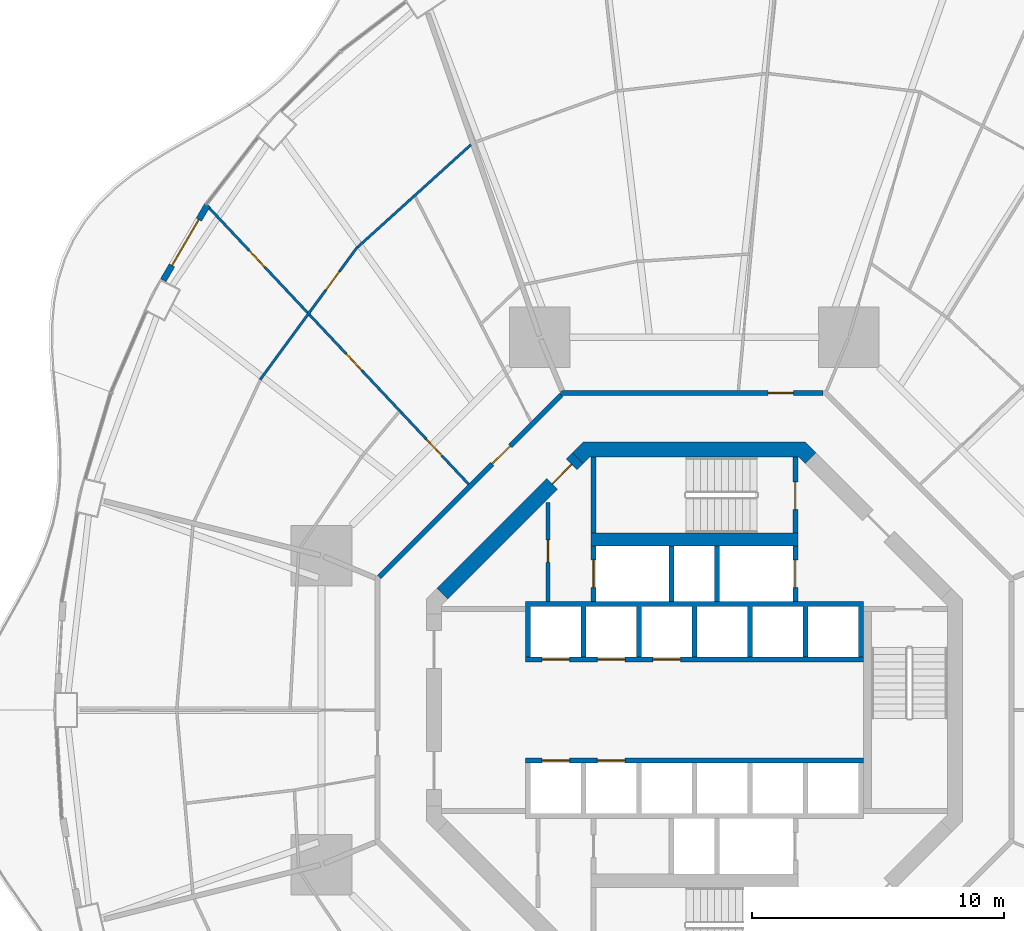
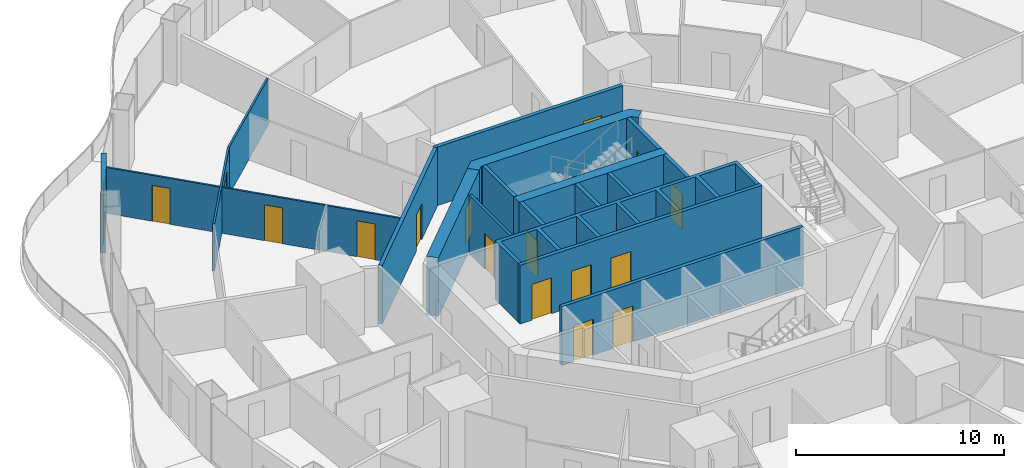
# One storey, part 17 of 22: 19 walls, 17 doors, 17 openings.
"""IFC4 building model written with IfcOpenShell, lengths in metres."""

from ifc_helpers import new_model, si_unit, direction, frame, frame_2d, origin, place, context, subcontext, project, spatial, polyline, rectangle, outline, extrude, material, layer, layer_set, type_object, element, fill, save


model = new_model("IFC4")

# Units and contexts
model_context = context("Model", 3, precision=1e-05, world=origin(), true_north=direction((0.0, 1.0)))
body_context = subcontext(model_context, "Body", "Model", "MODEL_VIEW")
ifc_project = project(units=[si_unit("LENGTHUNIT", "METRE"), si_unit("AREAUNIT", "SQUARE_METRE"), si_unit("VOLUMEUNIT", "CUBIC_METRE"), si_unit("PLANEANGLEUNIT", "RADIAN"), si_unit("MASSUNIT", "GRAM", prefix="KILO")], contexts=[model_context])

# Site, building, storey
site_placement = place(None, origin())
site = spatial("IfcSite", under=ifc_project, at=site_placement, CompositionType="ELEMENT")
building_placement = place(site_placement, origin())
building = spatial("IfcBuilding", under=site, at=building_placement, Name="Nagisa Residences", CompositionType="ELEMENT")
storey_placement = place(building_placement, frame((0.0, 0.0, 52.89990234375)))
storey = spatial("IfcBuildingStorey", under=building, at=storey_placement, Name="L12", CompositionType="ELEMENT", Elevation=52.89990234375)

# Wall, opening, door
ifc_material_1 = material(Name="Gypsum board on steel studs", Category="steel")
ifc_layer_1 = layer(ifc_material_1, 0.199951171875)
ifc_layer_set_1 = layer_set([ifc_layer_1], Name="Apartment entry wall EI60 200")
wall_type_1 = type_object("IfcWallType", Name="Apartment entry wall EI60 200", PredefinedType="PARTITIONING", material=ifc_layer_set_1)
wall_1_placement = place(storey_placement, frame((5.1044921875, 12.564697265625, 0.0), z_axis=(0.0, 0.0, 1.0), x_axis=(-1.0, 0.0, 0.0)))
wall_1 = element("IfcWall", 1, at=wall_1_placement, inside=storey, type_object=wall_type_1, Name="wall:L12:u12", PredefinedType="PARTITIONING", context=body_context, shape_type="SweptSolid", body=[
    extrude(rectangle(XDim=10.408935546875, YDim=0.199951171875, at=frame_2d((5.20458984375, 0.0))), origin(), (0.0, 0.0, 1.0), 3.440185546875),
])
opening_1_placement = place(wall_1_placement, frame((1.184814453125, 0.0, 0.0)))
opening_1 = element("IfcOpeningElement", 2, at=opening_1_placement, cuts=wall_1, Name="Opening L12-U43", PredefinedType="OPENING", context=body_context, shape_type="SweptSolid", body=[
    extrude(rectangle(XDim=1.0, YDim=2.10009765625, at=frame_2d((0.5, 1.050048828125))), frame((0.0, 0.10986328125, 0.0), z_axis=(0.0, -1.0, 0.0), x_axis=(1.0, 0.0, 0.0)), (0.0, 0.0, 1.0), 0.219970703125),
])
ifc_material_2 = material(Name="Timber fire door set", Category="wood")
door_type_1 = type_object("IfcDoorType", Name="Apartment entry door FD30S 1000x2100", OperationType="NOTDEFINED", PredefinedType="DOOR", material=ifc_material_2)
door_1_placement = place(opening_1_placement, frame((1.0, 0.0, 0.0), x_axis=(-1.0, 0.0, 0.0)))
door_1 = element("IfcDoor", 3, at=door_1_placement, inside=storey, type_object=door_type_1, Name="Entry door, Apartment 12E", OperationType="SINGLE_SWING_RIGHT", OverallHeight=2.10009765625, OverallWidth=1.0, PredefinedType="DOOR", context=body_context, shape_type="SweptSolid", body=[
    extrude(rectangle(XDim=1.0, YDim=2.10009765625, at=frame_2d((0.5, 1.050048828125))), frame((0.0, 0.02490234375, 0.0), z_axis=(0.0, -1.0, 0.0), x_axis=(1.0, 0.0, 0.0)), (0.0, 0.0, 1.0), 0.050048828125),
])
fill(opening_1, door_1)

wall_2_placement = place(storey_placement, frame((-5.275146484375, 12.494140625, 0.0), z_axis=(0.0, 0.0, 1.0), x_axis=(-0.707106781187, -0.707106781187, 0.0)))
wall_2 = element("IfcWall", 4, at=wall_2_placement, inside=storey, type_object=wall_type_1, Name="wall:L12:u13", PredefinedType="PARTITIONING", context=body_context, shape_type="SweptSolid", body=[
    extrude(rectangle(XDim=10.209228515625, YDim=0.199951171875, at=frame_2d((5.1044921875, 0.0))), origin(), (0.0, 0.0, 1.0), 3.440185546875),
])
opening_2_placement = place(wall_2_placement, frame((2.86962890625, 0.0, 0.0)))
opening_2 = element("IfcOpeningElement", 5, at=opening_2_placement, cuts=wall_2, Name="Opening L12-U01", PredefinedType="OPENING", context=body_context, shape_type="SweptSolid", body=[
    extrude(rectangle(XDim=1.0, YDim=2.10009765625, at=frame_2d((0.5, 1.050048828125))), frame((0.0, 0.10986328125, 0.0), z_axis=(0.0, -1.0, 0.0), x_axis=(1.0, 0.0, 0.0)), (0.0, 0.0, 1.0), 0.219970703125),
])
door_2_placement = place(opening_2_placement, frame((1.0, 0.0, 0.0), x_axis=(-1.0, 0.0, 0.0)))
door_2 = element("IfcDoor", 6, at=door_2_placement, inside=storey, type_object=door_type_1, Name="Entry door, Apartment 12A", OperationType="SINGLE_SWING_RIGHT", OverallHeight=2.10009765625, OverallWidth=1.0, PredefinedType="DOOR", context=body_context, shape_type="SweptSolid", body=[
    extrude(rectangle(XDim=1.0, YDim=2.10009765625, at=frame_2d((0.5, 1.050048828125))), frame((0.0, 0.02490234375, 0.0), z_axis=(0.0, -1.0, 0.0), x_axis=(1.0, 0.0, 0.0)), (0.0, 0.0, 1.0), 0.050048828125),
])
fill(opening_2, door_2)

# Wall
ifc_material_3 = material(Name="Gypsum board on steel studs", Category="steel")
ifc_layer_2 = layer(ifc_material_3, 0.10009765625)
ifc_layer_set_2 = layer_set([ifc_layer_2], Name="Apartment partition 100")
wall_type_2 = type_object("IfcWallType", Name="Apartment partition 100", PredefinedType="PARTITIONING", material=ifc_layer_set_2)
wall_3_placement = place(storey_placement, frame((-8.860595703125, 22.4072265625, 0.0), z_axis=(0.0, 0.0, 1.0), x_axis=(-0.741713303551, -0.670717060567, 0.0)))
element("IfcWall", 7, at=wall_3_placement, inside=storey, type_object=wall_type_2, Name="wall:L12:u46", PredefinedType="PARTITIONING", context=body_context, shape_type="SweptSolid", body=[
    extrude(rectangle(XDim=6.05908203125, YDim=0.10009765625, at=frame_2d((3.029541015625, 0.0))), origin(), (0.0, 0.0, 1.0), 2.756103515625),
])

# Wall, opening, door
wall_4_placement = place(storey_placement, frame((-13.3623046875, 18.35009765625, 0.0), z_axis=(0.0, 0.0, 1.0), x_axis=(-0.591191311491, -0.806531359104, 0.0)))
wall_4 = element("IfcWall", 8, at=wall_4_placement, inside=storey, type_object=wall_type_2, Name="wall:L12:u48", PredefinedType="PARTITIONING", context=body_context, shape_type="SweptSolid", body=[
    extrude(rectangle(XDim=6.510009765625, YDim=0.10009765625, at=frame_2d((3.2548828125, 0.0))), origin(), (0.0, 0.0, 1.0), 2.756103515625),
])
opening_3_placement = place(wall_4_placement, frame((1.202392578125, 0.0, 0.0)))
opening_3 = element("IfcOpeningElement", 9, at=opening_3_placement, cuts=wall_4, Name="Opening L12-U06", PredefinedType="OPENING", context=body_context, shape_type="SweptSolid", body=[
    extrude(rectangle(XDim=0.89990234375, YDim=2.10009765625, at=frame_2d((0.449951171875, 1.050048828125))), frame((0.0, 0.06005859375, 0.0), z_axis=(0.0, -1.0, 0.0), x_axis=(1.0, 0.0, 0.0)), (0.0, 0.0, 1.0), 0.1201171875),
])
ifc_material_4 = material(Name="Timber door set", Category="wood")
door_type_2 = type_object("IfcDoorType", Name="Apartment door 900x2100", OperationType="NOTDEFINED", PredefinedType="DOOR", material=ifc_material_4)
door_3_placement = place(opening_3_placement, frame((0.89990234375, 0.0, 0.0), x_axis=(-1.0, 0.0, 0.0)))
door_3 = element("IfcDoor", 10, at=door_3_placement, inside=storey, type_object=door_type_2, Name="Door to family room, Apartment 12A", OperationType="SINGLE_SWING_LEFT", OverallHeight=2.10009765625, OverallWidth=0.89990234375, PredefinedType="DOOR", context=body_context, shape_type="SweptSolid", body=[
    extrude(rectangle(XDim=0.89990234375, YDim=2.10009765625, at=frame_2d((0.449951171875, 1.050048828125))), frame((0.0, 0.02490234375, 0.0), z_axis=(0.0, -1.0, 0.0), x_axis=(1.0, 0.0, 0.0)), (0.0, 0.0, 1.0), 0.050048828125),
])
fill(opening_3, door_3)

# Wall, openings, doors
wall_5_placement = place(storey_placement, frame((-8.953125, 8.95751953125, 0.0), z_axis=(0.0, 0.0, 1.0), x_axis=(-0.684574307023, 0.728943082939, 0.0)))
wall_5 = element("IfcWall", 11, at=wall_5_placement, inside=storey, type_object=wall_type_2, Name="wall:L12:u49", PredefinedType="PARTITIONING", context=body_context, shape_type="SweptSolid", body=[
    extrude(rectangle(XDim=15.23095703125, YDim=0.10009765625, at=frame_2d((7.615478515625, 0.0))), origin(), (0.0, 0.0, 1.0), 2.68701171875),
])
opening_4_placement = place(wall_5_placement, frame((1.5400390625, 0.0, 0.0)))
opening_4 = element("IfcOpeningElement", 12, at=opening_4_placement, cuts=wall_5, Name="Opening L12-U03", PredefinedType="OPENING", context=body_context, shape_type="SweptSolid", body=[
    extrude(rectangle(XDim=0.89990234375, YDim=2.10009765625, at=frame_2d((0.449951171875, 1.050048828125))), frame((0.0, 0.06005859375, 0.0), z_axis=(0.0, -1.0, 0.0), x_axis=(1.0, 0.0, 0.0)), (0.0, 0.0, 1.0), 0.1201171875),
])
opening_5_placement = place(wall_5_placement, frame((6.17431640625, 0.0, 0.0)))
opening_5 = element("IfcOpeningElement", 13, at=opening_5_placement, cuts=wall_5, Name="Opening L12-U05", PredefinedType="OPENING", context=body_context, shape_type="SweptSolid", body=[
    extrude(rectangle(XDim=0.89990234375, YDim=2.10009765625, at=frame_2d((0.449951171875, 1.050048828125))), frame((0.0, 0.06005859375, 0.0), z_axis=(0.0, -1.0, 0.0), x_axis=(1.0, 0.0, 0.0)), (0.0, 0.0, 1.0), 0.1201171875),
])
opening_6_placement = place(wall_5_placement, frame((11.7998046875, 0.0, 0.0)))
opening_6 = element("IfcOpeningElement", 14, at=opening_6_placement, cuts=wall_5, Name="Opening L12-U07", PredefinedType="OPENING", context=body_context, shape_type="SweptSolid", body=[
    extrude(rectangle(XDim=0.89990234375, YDim=2.10009765625, at=frame_2d((0.449951171875, 1.050048828125))), frame((0.0, 0.06005859375, 0.0), z_axis=(0.0, -1.0, 0.0), x_axis=(1.0, 0.0, 0.0)), (0.0, 0.0, 1.0), 0.1201171875),
])
door_4_placement = place(opening_4_placement, origin())
door_4 = element("IfcDoor", 15, at=door_4_placement, inside=storey, type_object=door_type_2, Name="Door to store, Apartment 12A", OperationType="SINGLE_SWING_LEFT", OverallHeight=2.10009765625, OverallWidth=0.89990234375, PredefinedType="DOOR", context=body_context, shape_type="SweptSolid", body=[
    extrude(rectangle(XDim=0.89990234375, YDim=2.10009765625, at=frame_2d((0.449951171875, 1.050048828125))), frame((0.0, 0.02490234375, 0.0), z_axis=(0.0, -1.0, 0.0), x_axis=(1.0, 0.0, 0.0)), (0.0, 0.0, 1.0), 0.050048828125),
])
fill(opening_4, door_4)
door_5_placement = place(opening_5_placement, origin())
door_5 = element("IfcDoor", 16, at=door_5_placement, inside=storey, type_object=door_type_2, Name="Door to kitchen, Apartment 12A", OperationType="SINGLE_SWING_LEFT", OverallHeight=2.10009765625, OverallWidth=0.89990234375, PredefinedType="DOOR", context=body_context, shape_type="SweptSolid", body=[
    extrude(rectangle(XDim=0.89990234375, YDim=2.10009765625, at=frame_2d((0.449951171875, 1.050048828125))), frame((0.0, 0.02490234375, 0.0), z_axis=(0.0, -1.0, 0.0), x_axis=(1.0, 0.0, 0.0)), (0.0, 0.0, 1.0), 0.050048828125),
])
fill(opening_5, door_5)
door_6_placement = place(opening_6_placement, origin())
door_6 = element("IfcDoor", 17, at=door_6_placement, inside=storey, type_object=door_type_2, Name="Door to master bedroom, Apartment 12A", OperationType="SINGLE_SWING_LEFT", OverallHeight=2.10009765625, OverallWidth=0.89990234375, PredefinedType="DOOR", context=body_context, shape_type="SweptSolid", body=[
    extrude(rectangle(XDim=0.89990234375, YDim=2.10009765625, at=frame_2d((0.449951171875, 1.050048828125))), frame((0.0, 0.02490234375, 0.0), z_axis=(0.0, -1.0, 0.0), x_axis=(1.0, 0.0, 0.0)), (0.0, 0.0, 1.0), 0.050048828125),
])
fill(opening_6, door_6)

# Wall, opening, door
ifc_material_5 = material(Name="Precast concrete C40/50", Category="concrete")
ifc_layer_3 = layer(ifc_material_5, 0.25)
ifc_layer_set_3 = layer_set([ifc_layer_3], Name="BALCONY DOOR WALL 250")
wall_type_3 = type_object("IfcWallType", Name="BALCONY DOOR WALL 250", PredefinedType="SOLIDWALL", material=ifc_layer_set_3)
wall_6_placement = place(storey_placement, frame((-21.052490234375, 17.040283203125, 0.0), z_axis=(0.0, 0.0, 1.0), x_axis=(0.506311160839, 0.862350861546, 0.0)))
wall_6 = element("IfcWall", 18, at=wall_6_placement, inside=storey, type_object=wall_type_3, Name="wall:L12:bay19", PredefinedType="SOLIDWALL", context=body_context, shape_type="SweptSolid", body=[
    extrude(rectangle(XDim=3.462158203125, YDim=0.25, at=frame_2d((1.73095703125, 0.0))), origin(), (0.0, 0.0, 1.0), 3.440185546875),
])
opening_7_placement = place(wall_6_placement, frame((0.68115234375, 0.0, 0.0)))
opening_7 = element("IfcOpeningElement", 19, at=opening_7_placement, cuts=wall_6, Name="Opening BD-L12-07", PredefinedType="OPENING", context=body_context, shape_type="SweptSolid", body=[
    extrude(rectangle(XDim=2.10009765625, YDim=2.39990234375, at=frame_2d((1.050048828125, 1.199951171875))), frame((0.0, 0.135009765625, 0.0), z_axis=(0.0, -1.0, 0.0), x_axis=(1.0, 0.0, 0.0)), (0.0, 0.0, 1.0), 0.27001953125),
])
ifc_material_6 = material(Name="Aluminium and clear glass", Category="aluminium")
door_type_3 = type_object("IfcDoorType", Name="BALCONY SLIDING DOOR 2100x2400", OperationType="SLIDING_TO_LEFT", PredefinedType="DOOR", material=ifc_material_6)
door_7_placement = place(opening_7_placement, origin())
door_7 = element("IfcDoor", 20, at=door_7_placement, inside=storey, type_object=door_type_3, Name="door:L12:bay19", OperationType="SLIDING_TO_LEFT", OverallHeight=2.39990234375, OverallWidth=2.10009765625, PredefinedType="DOOR", context=body_context, shape_type="SweptSolid", body=[
    extrude(rectangle(XDim=2.10009765625, YDim=2.39990234375, at=frame_2d((1.050048828125, 1.199951171875))), frame((0.0, 0.02490234375, 0.0), z_axis=(0.0, -1.0, 0.0), x_axis=(1.0, 0.0, 0.0)), (0.0, 0.0, 1.0), 0.050048828125),
])
fill(opening_7, door_7)

ifc_material_7 = material(Name="Gypsum board on steel studs", Category="steel")
ifc_layer_4 = layer(ifc_material_7, 0.14990234375)
ifc_layer_set_4 = layer_set([ifc_layer_4], Name="Core partition 150")
wall_type_4 = type_object("IfcWallType", Name="Core partition 150", PredefinedType="PARTITIONING", material=ifc_layer_set_4)
wall_7_placement = place(storey_placement, frame((-5.800048828125, 4.300048828125, 0.0), z_axis=(0.0, 0.0, 1.0), x_axis=(0.0, 1.0, 0.0)))
wall_7 = element("IfcWall", 21, at=wall_7_placement, inside=storey, type_object=wall_type_4, Name="wall:L12:NWp", PredefinedType="PARTITIONING", context=body_context, shape_type="SweptSolid", body=[
    extrude(rectangle(XDim=3.927001953125, YDim=0.14990234375, at=frame_2d((1.96337890625, 0.0))), origin(), (0.0, 0.0, 1.0), 3.440185546875),
])
opening_8_placement = place(wall_7_placement, frame((1.551025390625, 0.0, 0.0)))
opening_8 = element("IfcOpeningElement", 22, at=opening_8_placement, cuts=wall_7, Name="Opening L12-C12", PredefinedType="OPENING", context=body_context, shape_type="SweptSolid", body=[
    extrude(rectangle(XDim=0.89990234375, YDim=2.10009765625, at=frame_2d((0.449951171875, 1.050048828125))), frame((0.0, 0.0849609375, 0.0), z_axis=(0.0, -1.0, 0.0), x_axis=(1.0, 0.0, 0.0)), (0.0, 0.0, 1.0), 0.169921875),
])
ifc_material_8 = material(Name="Steel fire door", Category="steel")
door_type_4 = type_object("IfcDoorType", Name="Fire door EI30 900x2100 single swing", OperationType="NOTDEFINED", PredefinedType="DOOR", material=ifc_material_8)
door_8_placement = place(opening_8_placement, origin())
door_8 = element("IfcDoor", 23, at=door_8_placement, inside=storey, type_object=door_type_4, Name="Package room door L12", OperationType="SINGLE_SWING_LEFT", OverallHeight=2.10009765625, OverallWidth=0.89990234375, PredefinedType="DOOR", context=body_context, shape_type="SweptSolid", body=[
    extrude(rectangle(XDim=0.89990234375, YDim=2.10009765625, at=frame_2d((0.449951171875, 1.050048828125))), frame((0.0, 0.02490234375, 0.0), z_axis=(0.0, -1.0, 0.0), x_axis=(1.0, 0.0, 0.0)), (0.0, 0.0, 1.0), 0.050048828125),
])
fill(opening_8, door_8)

ifc_material_9 = material(Name="Concrete C60", Category="concrete")
ifc_layer_5 = layer(ifc_material_9, 0.60009765625)
ifc_layer_set_5 = layer_set([ifc_layer_5], Name="Core shear wall 600")
wall_type_5 = type_object("IfcWallType", Name="Core shear wall 600", PredefinedType="SHEAR", material=ifc_layer_set_5)
wall_8_placement = place(storey_placement, frame((-4.613037109375, 9.98828125, 0.0), z_axis=(0.0, 0.0, 1.0), x_axis=(-0.707106781187, -0.707106781187, 0.0)))
wall_8 = element("IfcWall", 24, at=wall_8_placement, inside=storey, type_object=wall_type_5, Name="wall:L12:core:flat3", PredefinedType="SHEAR", context=body_context, shape_type="SweptSolid", body=[
    extrude(rectangle(XDim=7.601806640625, YDim=0.60009765625, at=frame_2d((3.80078125, 0.0))), origin(), (0.0, 0.0, 1.0), 3.440185546875),
])
opening_9_placement = place(wall_8_placement, frame((0.350830078125, 0.0, 0.0)))
opening_9 = element("IfcOpeningElement", 25, at=opening_9_placement, cuts=wall_8, Name="Opening L12-C19", PredefinedType="OPENING", context=body_context, shape_type="SweptSolid", body=[
    extrude(rectangle(XDim=1.10009765625, YDim=2.10009765625, at=frame_2d((0.550048828125, 1.050048828125))), frame((0.0, 0.31005859375, 0.0), z_axis=(0.0, -1.0, 0.0), x_axis=(1.0, 0.0, 0.0)), (0.0, 0.0, 1.0), 0.6201171875),
])
ifc_material_10 = material(Name="Steel fire door", Category="steel")
door_type_5 = type_object("IfcDoorType", Name="Fire door EI60 1100x2100 single swing", OperationType="NOTDEFINED", PredefinedType="DOOR", material=ifc_material_10)
door_9_placement = place(opening_9_placement, origin())
door_9 = element("IfcDoor", 26, at=door_9_placement, inside=storey, type_object=door_type_5, Name="Service lobby door L12", OperationType="SINGLE_SWING_LEFT", OverallHeight=2.10009765625, OverallWidth=1.10009765625, PredefinedType="DOOR", context=body_context, shape_type="SweptSolid", body=[
    extrude(rectangle(XDim=1.10009765625, YDim=2.10009765625, at=frame_2d((0.550048828125, 1.050048828125))), frame((0.0, 0.02490234375, 0.0), z_axis=(0.0, -1.0, 0.0), x_axis=(1.0, 0.0, 0.0)), (0.0, 0.0, 1.0), 0.050048828125),
])
fill(opening_9, door_9)

# Wall
wall_9_placement = place(storey_placement, origin())
element("IfcWall", 27, at=wall_9_placement, inside=storey, type_object=wall_type_5, Name="wall:L12:core:flat2", PredefinedType="SHEAR", context=body_context, shape_type="SweptSolid", body=[
    extrude(outline(polyline([(-4.15234375, 10.024658203125), (-4.40087890625, 9.776123046875), (-4.8251953125, 10.200439453125), (-4.40087890625, 10.62451171875), (4.40087890625, 10.62451171875), (4.8251953125, 10.200439453125), (4.40087890625, 9.776123046875), (4.15234375, 10.024658203125), (-4.15234375, 10.024658203125)])), origin(), (0.0, 0.0, 1.0), 3.440185546875),
])

# Wall, opening, door
ifc_material_11 = material(Name="Concrete C60", Category="concrete")
ifc_layer_6 = layer(ifc_material_11, 0.199951171875)
ifc_layer_set_6 = layer_set([ifc_layer_6], Name="Lift shaft wall 200")
wall_type_6 = type_object("IfcWallType", Name="Lift shaft wall 200", PredefinedType="SOLIDWALL", material=ifc_layer_set_6)
wall_10_placement = place(storey_placement, frame((4.0, 4.300048828125, 0.0), z_axis=(0.0, 0.0, 1.0), x_axis=(0.0, 1.0, 0.0)))
wall_10 = element("IfcWall", 28, at=wall_10_placement, inside=storey, type_object=wall_type_6, Name="wall:L12:Nb3", PredefinedType="SOLIDWALL", context=body_context, shape_type="SweptSolid", body=[
    extrude(rectangle(XDim=2.199951171875, YDim=0.199951171875, at=frame_2d((1.10009765625, 0.0))), origin(), (0.0, 0.0, 1.0), 3.440185546875),
])
opening_10_placement = place(wall_10_placement, frame((0.550048828125, 0.0, 0.0)))
opening_10 = element("IfcOpeningElement", 29, at=opening_10_placement, cuts=wall_10, Name="Opening L12-C06", PredefinedType="OPENING", context=body_context, shape_type="SweptSolid", body=[
    extrude(rectangle(XDim=1.10009765625, YDim=2.10009765625, at=frame_2d((0.550048828125, 1.050048828125))), frame((0.0, 0.10986328125, 0.0), z_axis=(0.0, -1.0, 0.0), x_axis=(1.0, 0.0, 0.0)), (0.0, 0.0, 1.0), 0.219970703125),
])
ifc_material_12 = material(Name="Stainless steel", Category="steel")
door_type_6 = type_object("IfcDoorType", Name="Lift landing door 1100x2100", OperationType="DOUBLE_DOOR_SLIDING", PredefinedType="DOOR", material=ifc_material_12)
door_10_placement = place(opening_10_placement, origin())
door_10 = element("IfcDoor", 30, at=door_10_placement, inside=storey, type_object=door_type_6, Name="Landing door FL1 L12", OperationType="DOUBLE_DOOR_SLIDING", OverallHeight=2.10009765625, OverallWidth=1.10009765625, PredefinedType="DOOR", context=body_context, shape_type="SweptSolid", body=[
    extrude(rectangle(XDim=1.10009765625, YDim=2.10009765625, at=frame_2d((0.550048828125, 1.050048828125))), frame((0.0, 0.02490234375, 0.0), z_axis=(0.0, -1.0, 0.0), x_axis=(1.0, 0.0, 0.0)), (0.0, 0.0, 1.0), 0.050048828125),
])
fill(opening_10, door_10)

wall_11_placement = place(storey_placement, frame((-4.0, 4.300048828125, 0.0), z_axis=(0.0, 0.0, 1.0), x_axis=(0.0, 1.0, 0.0)))
wall_11 = element("IfcWall", 31, at=wall_11_placement, inside=storey, type_object=wall_type_6, Name="wall:L12:Nb4", PredefinedType="SOLIDWALL", context=body_context, shape_type="SweptSolid", body=[
    extrude(rectangle(XDim=2.199951171875, YDim=0.199951171875, at=frame_2d((1.10009765625, 0.0))), origin(), (0.0, 0.0, 1.0), 3.440185546875),
])
opening_11_placement = place(wall_11_placement, frame((0.550048828125, 0.0, 0.0)))
opening_11 = element("IfcOpeningElement", 32, at=opening_11_placement, cuts=wall_11, Name="Opening L12-C08", PredefinedType="OPENING", context=body_context, shape_type="SweptSolid", body=[
    extrude(rectangle(XDim=1.10009765625, YDim=2.10009765625, at=frame_2d((0.550048828125, 1.050048828125))), frame((0.0, 0.10986328125, 0.0), z_axis=(0.0, -1.0, 0.0), x_axis=(1.0, 0.0, 0.0)), (0.0, 0.0, 1.0), 0.219970703125),
])
door_11_placement = place(opening_11_placement, origin())
door_11 = element("IfcDoor", 33, at=door_11_placement, inside=storey, type_object=door_type_6, Name="Landing door SV L12", OperationType="DOUBLE_DOOR_SLIDING", OverallHeight=2.10009765625, OverallWidth=1.10009765625, PredefinedType="DOOR", context=body_context, shape_type="SweptSolid", body=[
    extrude(rectangle(XDim=1.10009765625, YDim=2.10009765625, at=frame_2d((0.550048828125, 1.050048828125))), frame((0.0, 0.02490234375, 0.0), z_axis=(0.0, -1.0, 0.0), x_axis=(1.0, 0.0, 0.0)), (0.0, 0.0, 1.0), 0.050048828125),
])
fill(opening_11, door_11)

# Wall, openings, doors
wall_12_placement = place(storey_placement, frame((-6.699951171875, 2.0, 0.0), z_axis=(0.0, 0.0, 1.0), x_axis=(1.0, 0.0, 0.0)))
wall_12 = element("IfcWall", 34, at=wall_12_placement, inside=storey, type_object=wall_type_6, Name="wall:L12:Nfront", PredefinedType="SOLIDWALL", context=body_context, shape_type="SweptSolid", body=[
    extrude(rectangle(XDim=13.39990234375, YDim=0.199951171875, at=frame_2d((6.699951171875, 0.0))), origin(), (0.0, 0.0, 1.0), 3.440185546875),
])
opening_12_placement = place(wall_12_placement, frame((0.64990234375, 0.0, 0.0)))
opening_12 = element("IfcOpeningElement", 35, at=opening_12_placement, cuts=wall_12, Name="Opening L12-C01", PredefinedType="OPENING", context=body_context, shape_type="SweptSolid", body=[
    extrude(rectangle(XDim=1.10009765625, YDim=2.10009765625, at=frame_2d((0.550048828125, 1.050048828125))), frame((0.0, 0.10986328125, 0.0), z_axis=(0.0, -1.0, 0.0), x_axis=(1.0, 0.0, 0.0)), (0.0, 0.0, 1.0), 0.219970703125),
])
opening_13_placement = place(wall_12_placement, frame((2.85009765625, 0.0, 0.0)))
opening_13 = element("IfcOpeningElement", 36, at=opening_13_placement, cuts=wall_12, Name="Opening L12-C02", PredefinedType="OPENING", context=body_context, shape_type="SweptSolid", body=[
    extrude(rectangle(XDim=1.10009765625, YDim=2.10009765625, at=frame_2d((0.550048828125, 1.050048828125))), frame((0.0, 0.10986328125, 0.0), z_axis=(0.0, -1.0, 0.0), x_axis=(1.0, 0.0, 0.0)), (0.0, 0.0, 1.0), 0.219970703125),
])
opening_14_placement = place(wall_12_placement, frame((5.050048828125, 0.0, 0.0)))
opening_14 = element("IfcOpeningElement", 37, at=opening_14_placement, cuts=wall_12, Name="Opening L12-C03", PredefinedType="OPENING", context=body_context, shape_type="SweptSolid", body=[
    extrude(rectangle(XDim=1.10009765625, YDim=2.10009765625, at=frame_2d((0.550048828125, 1.050048828125))), frame((0.0, 0.10986328125, 0.0), z_axis=(0.0, -1.0, 0.0), x_axis=(1.0, 0.0, 0.0)), (0.0, 0.0, 1.0), 0.219970703125),
])
door_12_placement = place(opening_12_placement, origin())
door_12 = element("IfcDoor", 38, at=door_12_placement, inside=storey, type_object=door_type_6, Name="Landing door A1 L12", OperationType="DOUBLE_DOOR_SLIDING", OverallHeight=2.10009765625, OverallWidth=1.10009765625, PredefinedType="DOOR", context=body_context, shape_type="SweptSolid", body=[
    extrude(rectangle(XDim=1.10009765625, YDim=2.10009765625, at=frame_2d((0.550048828125, 1.050048828125))), frame((0.0, 0.02490234375, 0.0), z_axis=(0.0, -1.0, 0.0), x_axis=(1.0, 0.0, 0.0)), (0.0, 0.0, 1.0), 0.050048828125),
])
fill(opening_12, door_12)
door_13_placement = place(opening_13_placement, origin())
door_13 = element("IfcDoor", 39, at=door_13_placement, inside=storey, type_object=door_type_6, Name="Landing door A2 L12", OperationType="DOUBLE_DOOR_SLIDING", OverallHeight=2.10009765625, OverallWidth=1.10009765625, PredefinedType="DOOR", context=body_context, shape_type="SweptSolid", body=[
    extrude(rectangle(XDim=1.10009765625, YDim=2.10009765625, at=frame_2d((0.550048828125, 1.050048828125))), frame((0.0, 0.02490234375, 0.0), z_axis=(0.0, -1.0, 0.0), x_axis=(1.0, 0.0, 0.0)), (0.0, 0.0, 1.0), 0.050048828125),
])
fill(opening_13, door_13)
door_14_placement = place(opening_14_placement, origin())
door_14 = element("IfcDoor", 40, at=door_14_placement, inside=storey, type_object=door_type_6, Name="Landing door A3 L12", OperationType="DOUBLE_DOOR_SLIDING", OverallHeight=2.10009765625, OverallWidth=1.10009765625, PredefinedType="DOOR", context=body_context, shape_type="SweptSolid", body=[
    extrude(rectangle(XDim=1.10009765625, YDim=2.10009765625, at=frame_2d((0.550048828125, 1.050048828125))), frame((0.0, 0.02490234375, 0.0), z_axis=(0.0, -1.0, 0.0), x_axis=(1.0, 0.0, 0.0)), (0.0, 0.0, 1.0), 0.050048828125),
])
fill(opening_14, door_14)

wall_13_placement = place(storey_placement, frame((-6.699951171875, -2.0, 0.0), z_axis=(0.0, 0.0, 1.0), x_axis=(1.0, 0.0, 0.0)))
wall_13 = element("IfcWall", 41, at=wall_13_placement, inside=storey, type_object=wall_type_6, Name="wall:L12:Sfront", PredefinedType="SOLIDWALL", context=body_context, shape_type="SweptSolid", body=[
    extrude(rectangle(XDim=13.39990234375, YDim=0.199951171875, at=frame_2d((6.699951171875, 0.0))), origin(), (0.0, 0.0, 1.0), 3.440185546875),
])
opening_15_placement = place(wall_13_placement, frame((0.64990234375, 0.0, 0.0)))
opening_15 = element("IfcOpeningElement", 42, at=opening_15_placement, cuts=wall_13, Name="Opening L12-C04", PredefinedType="OPENING", context=body_context, shape_type="SweptSolid", body=[
    extrude(rectangle(XDim=1.10009765625, YDim=2.10009765625, at=frame_2d((0.550048828125, 1.050048828125))), frame((0.0, 0.10986328125, 0.0), z_axis=(0.0, -1.0, 0.0), x_axis=(1.0, 0.0, 0.0)), (0.0, 0.0, 1.0), 0.219970703125),
])
opening_16_placement = place(wall_13_placement, frame((2.85009765625, 0.0, 0.0)))
opening_16 = element("IfcOpeningElement", 43, at=opening_16_placement, cuts=wall_13, Name="Opening L12-C05", PredefinedType="OPENING", context=body_context, shape_type="SweptSolid", body=[
    extrude(rectangle(XDim=1.10009765625, YDim=2.10009765625, at=frame_2d((0.550048828125, 1.050048828125))), frame((0.0, 0.10986328125, 0.0), z_axis=(0.0, -1.0, 0.0), x_axis=(1.0, 0.0, 0.0)), (0.0, 0.0, 1.0), 0.219970703125),
])
door_15_placement = place(opening_15_placement, origin())
door_15 = element("IfcDoor", 44, at=door_15_placement, inside=storey, type_object=door_type_6, Name="Landing door A4 L12", OperationType="DOUBLE_DOOR_SLIDING", OverallHeight=2.10009765625, OverallWidth=1.10009765625, PredefinedType="DOOR", context=body_context, shape_type="SweptSolid", body=[
    extrude(rectangle(XDim=1.10009765625, YDim=2.10009765625, at=frame_2d((0.550048828125, 1.050048828125))), frame((0.0, 0.02490234375, 0.0), z_axis=(0.0, -1.0, 0.0), x_axis=(1.0, 0.0, 0.0)), (0.0, 0.0, 1.0), 0.050048828125),
])
fill(opening_15, door_15)
door_16_placement = place(opening_16_placement, origin())
door_16 = element("IfcDoor", 45, at=door_16_placement, inside=storey, type_object=door_type_6, Name="Landing door A5 L12", OperationType="DOUBLE_DOOR_SLIDING", OverallHeight=2.10009765625, OverallWidth=1.10009765625, PredefinedType="DOOR", context=body_context, shape_type="SweptSolid", body=[
    extrude(rectangle(XDim=1.10009765625, YDim=2.10009765625, at=frame_2d((0.550048828125, 1.050048828125))), frame((0.0, 0.02490234375, 0.0), z_axis=(0.0, -1.0, 0.0), x_axis=(1.0, 0.0, 0.0)), (0.0, 0.0, 1.0), 0.050048828125),
])
fill(opening_16, door_16)

# Walls
for number, where, z_axis, x_axis, name in (
    (46, (-0.89990234375, 4.300048828125, 0.0), (0.0, 0.0, 1.0), (0.0, 1.0, 0.0), "wall:L12:Nb1"),
    (47, (0.89990234375, 4.300048828125, 0.0), (0.0, 0.0, 1.0), (0.0, 1.0, 0.0), "wall:L12:Nb2"),
):
    element("IfcWall", number, at=place(storey_placement, frame(where, z_axis=z_axis, x_axis=x_axis)), inside=storey, type_object=wall_type_6, Name=name, PredefinedType="SOLIDWALL", context=body_context, shape_type="SweptSolid", body=[
        extrude(rectangle(XDim=2.199951171875, YDim=0.199951171875, at=frame_2d((1.10009765625, 0.0))), origin(), (0.0, 0.0, 1.0), 3.440185546875),
    ])
wall_14_placement = place(storey_placement, origin())
element("IfcWall", 48, at=wall_14_placement, inside=storey, type_object=wall_type_6, Name="wall:L12:Nback", PredefinedType="SOLIDWALL", context=body_context, shape_type="SweptSolid", body=[
    extrude(outline(polyline([(-6.5, 2.10009765625), (-6.699951171875, 2.10009765625), (-6.699951171875, 4.300048828125), (6.699951171875, 4.300048828125), (6.699951171875, 2.10009765625), (6.5, 2.10009765625), (6.5, 4.10009765625), (4.5, 4.10009765625), (4.5, 2.10009765625), (4.300048828125, 2.10009765625), (4.300048828125, 4.10009765625), (2.300048828125, 4.10009765625), (2.300048828125, 2.10009765625), (2.10009765625, 2.10009765625), (2.10009765625, 4.10009765625), (0.10009765625, 4.10009765625), (0.10009765625, 2.10009765625), (-0.10009765625, 2.10009765625), (-0.10009765625, 4.10009765625), (-2.10009765625, 4.10009765625), (-2.10009765625, 2.10009765625), (-2.300048828125, 2.10009765625), (-2.300048828125, 4.10009765625), (-4.300048828125, 4.10009765625), (-4.300048828125, 2.10009765625), (-4.5, 2.10009765625), (-4.5, 4.10009765625), (-6.5, 4.10009765625), (-6.5, 2.10009765625)])), origin(), (0.0, 0.0, 1.0), 3.440185546875),
])

# Wall, opening, door
ifc_material_13 = material(Name="Concrete C60", Category="concrete")
ifc_layer_7 = layer(ifc_material_13, 0.199951171875)
ifc_layer_set_7 = layer_set([ifc_layer_7], Name="Stair enclosure wall 200")
wall_type_7 = type_object("IfcWallType", Name="Stair enclosure wall 200", PredefinedType="SOLIDWALL", material=ifc_layer_set_7)
wall_15_placement = place(storey_placement, frame((4.0, 7.024658203125, 0.0), z_axis=(0.0, 0.0, 1.0), x_axis=(0.0, 1.0, 0.0)))
wall_15 = element("IfcWall", 49, at=wall_15_placement, inside=storey, type_object=wall_type_7, Name="wall:L12:SN_e", PredefinedType="SOLIDWALL", context=body_context, shape_type="SweptSolid", body=[
    extrude(rectangle(XDim=3.0, YDim=0.199951171875, at=frame_2d((1.5, 0.0))), origin(), (0.0, 0.0, 1.0), 3.440185546875),
])
opening_17_placement = place(wall_15_placement, frame((0.92529296875, 0.0, 0.0)))
opening_17 = element("IfcOpeningElement", 50, at=opening_17_placement, cuts=wall_15, Name="Opening L12-C10", PredefinedType="OPENING", context=body_context, shape_type="SweptSolid", body=[
    extrude(rectangle(XDim=1.10009765625, YDim=2.10009765625, at=frame_2d((0.550048828125, 1.050048828125))), frame((0.0, 0.10986328125, 0.0), z_axis=(0.0, -1.0, 0.0), x_axis=(1.0, 0.0, 0.0)), (0.0, 0.0, 1.0), 0.219970703125),
])
ifc_material_14 = material(Name="Steel fire door", Category="steel")
door_type_7 = type_object("IfcDoorType", Name="Fire door EI90 1100x2100 single swing", OperationType="NOTDEFINED", PredefinedType="DOOR", material=ifc_material_14)
door_17_placement = place(opening_17_placement, origin())
door_17 = element("IfcDoor", 51, at=door_17_placement, inside=storey, type_object=door_type_7, Name="Stair door ST-N L12", OperationType="SINGLE_SWING_RIGHT", OverallHeight=2.10009765625, OverallWidth=1.10009765625, PredefinedType="DOOR", context=body_context, shape_type="SweptSolid", body=[
    extrude(rectangle(XDim=1.10009765625, YDim=2.10009765625, at=frame_2d((0.550048828125, 1.050048828125))), frame((0.0, 0.02490234375, 0.0), z_axis=(0.0, -1.0, 0.0), x_axis=(1.0, 0.0, 0.0)), (0.0, 0.0, 1.0), 0.050048828125),
])
fill(opening_17, door_17)

# Walls
wall_16_placement = place(storey_placement, origin())
element("IfcWall", 52, at=wall_16_placement, inside=storey, type_object=wall_type_7, Name="wall:L12:SN_w", PredefinedType="SOLIDWALL", context=body_context, shape_type="SweptSolid", body=[
    extrude(outline(polyline([(-3.89990234375, 7.024658203125), (-4.10009765625, 7.024658203125), (-4.10009765625, 10.024658203125), (-3.89990234375, 10.024658203125), (-3.89990234375, 7.024658203125)])), origin(), (0.0, 0.0, 1.0), 3.440185546875),
])
wall_17_placement = place(storey_placement, origin())
element("IfcWall", 53, at=wall_17_placement, inside=storey, type_object=wall_type_7, Name="wall:L12:SN_s", PredefinedType="SOLIDWALL", context=body_context, shape_type="SweptSolid", body=[
    extrude(outline(polyline([(4.10009765625, 6.5), (-4.10009765625, 6.5), (-4.10009765625, 7.024658203125), (4.10009765625, 7.024658203125), (4.10009765625, 6.5)])), origin(), (0.0, 0.0, 1.0), 3.440185546875),
])

save(model, "model.ifc")
